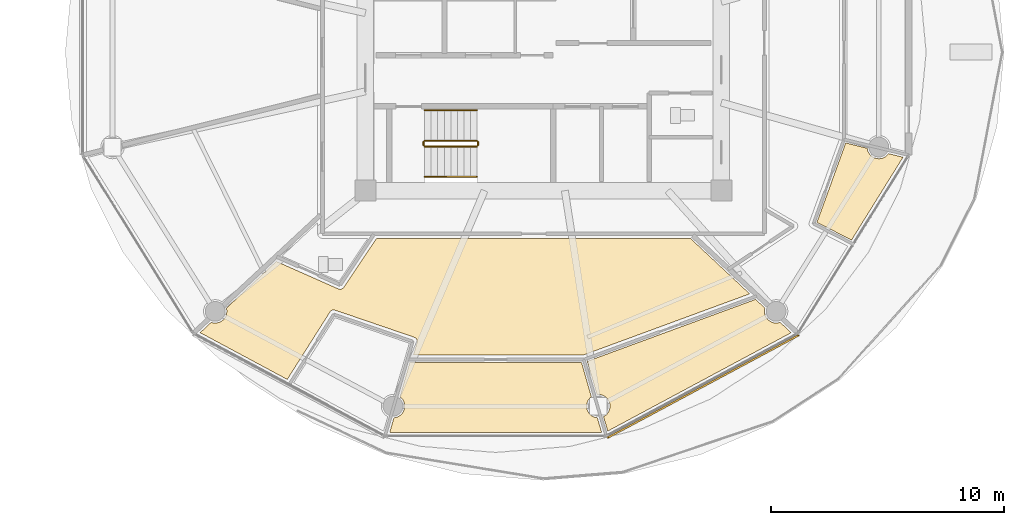
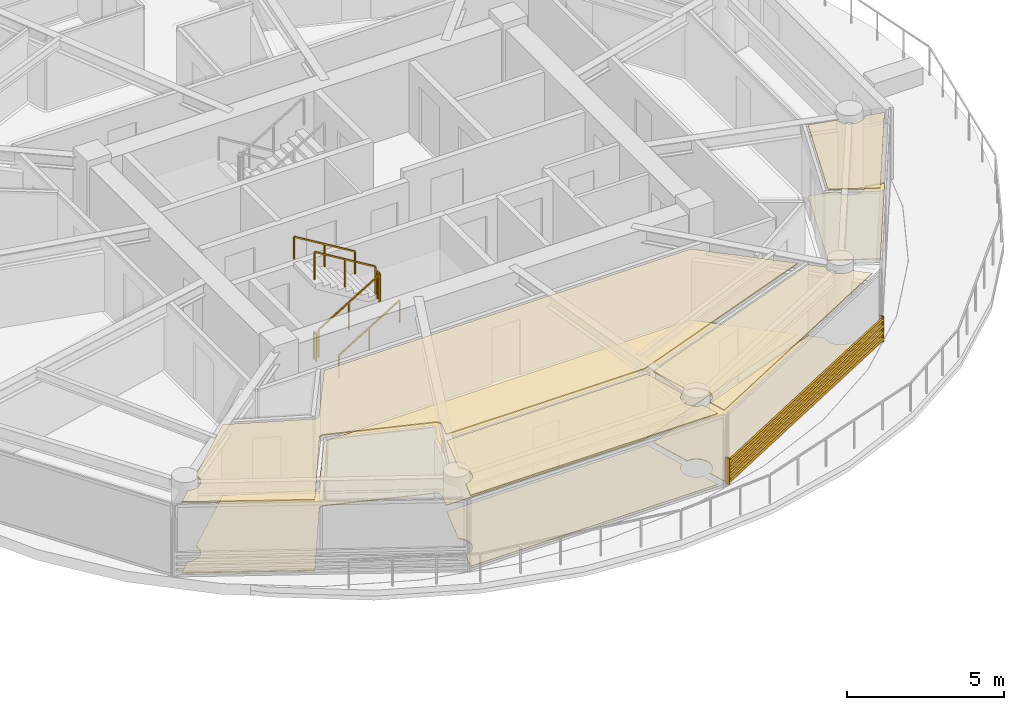
# One storey, part 26 of 32: 8 coverings, 6 railings, 1 shading device.
"""IFC4 building model written with IfcOpenShell, lengths in metres."""

import ifcopenshell
import ifcopenshell.guid

model = None  # the IFC model being written
_history = None  # IfcOwnerHistory: only IFC2X3 demands one
_inside = {}  # id of a spatial element -> (the spatial element, [elements in it])
_under = {}  # id of a project, library or spatial element -> (it, [spatial elements below it])
_declared = {}  # id of a project -> (the project, [libraries it declares])
_typed = {}  # id of a type object -> (the type object, [elements of that type])
_made_of = {}  # id of a material, layer set ... -> (it, [elements and type objects made of it])


def new_model(schema):
    """Start an empty IFC model of exactly this schema.

    Asked for "IFC4X3", IfcOpenShell would pick the latest addendum, in which some entities
    have other attributes; the version numbers below select the first issue.
    IFC2X3 requires an IfcOwnerHistory on every rooted entity: one is made here for all.
    """
    global model, _history
    if schema == "IFC4X3":
        model = ifcopenshell.file(schema_version=(4, 3, 0, 0))
    else:
        model = ifcopenshell.file(schema=schema)
    _inside.clear()
    _under.clear()
    _declared.clear()
    _typed.clear()
    _made_of.clear()
    _history = None
    if model.schema == "IFC2X3":
        org = make("IfcOrganization", Name="unknown")
        user = make(
            "IfcPersonAndOrganization",
            ThePerson=make("IfcPerson", FamilyName="unknown"),
            TheOrganization=org,
        )
        app = make(
            "IfcApplication",
            ApplicationDeveloper=org,
            Version="unknown",
            ApplicationFullName="unknown",
            ApplicationIdentifier="unknown",
        )
        _history = make(
            "IfcOwnerHistory",
            OwningUser=user,
            OwningApplication=app,
            ChangeAction="ADDED",
            CreationDate=0,
        )
    return model


def make(cls, **values):
    """One entity of the class cls with the attributes given. An attribute that is None is left unset."""
    return model.create_entity(
        cls, **{name: value for name, value in values.items() if value is not None}
    )


def rooted(cls, **values):
    """An entity with a GlobalId (a new one), such as an element, a storey or a relation."""
    return make(cls, GlobalId=ifcopenshell.guid.new(), OwnerHistory=_history, **values)


def si_unit(unit_type, name, prefix=None):
    """IfcSIUnit, for example si_unit("LENGTHUNIT", "METRE", prefix="MILLI")."""
    return make("IfcSIUnit", UnitType=unit_type, Prefix=prefix, Name=name)


def assignment(units):
    """IfcUnitAssignment: the units of a project."""
    return None if units is None else make("IfcUnitAssignment", Units=units)


def point(xyz):
    """IfcCartesianPoint."""
    return None if xyz is None else make("IfcCartesianPoint", Coordinates=xyz)


def direction(xyz):
    """IfcDirection."""
    return None if xyz is None else make("IfcDirection", DirectionRatios=xyz)


def frame(location, z_axis=None, x_axis=None):
    """IfcAxis2Placement3D, a coordinate frame: its origin and axes. An axis left out is left unset."""
    return make(
        "IfcAxis2Placement3D",
        Location=point(location),
        Axis=direction(z_axis),
        RefDirection=direction(x_axis),
    )


def frame_2d(location, x_axis=None):
    """IfcAxis2Placement2D, a coordinate frame in the plane: its origin and x axis."""
    return make(
        "IfcAxis2Placement2D", Location=point(location), RefDirection=direction(x_axis)
    )


def origin():
    """The frame at (0, 0, 0) with its axes left unset."""
    return frame((0.0, 0.0, 0.0))


def origin_2d():
    """The frame at (0, 0) in the plane with its x axis left unset."""
    return frame_2d((0.0, 0.0))


def place(relative_to, where):
    """IfcLocalPlacement: puts the frame where relative to a parent placement (None: the world)."""
    return make(
        "IfcLocalPlacement", PlacementRelTo=relative_to, RelativePlacement=where
    )


def context(
    kind, dimensions, precision=None, world=None, true_north=None, identifier=None
):
    """IfcGeometricRepresentationContext, for example the 3D "Model" context."""
    return make(
        "IfcGeometricRepresentationContext",
        ContextIdentifier=identifier,
        ContextType=kind,
        CoordinateSpaceDimension=dimensions,
        Precision=precision,
        WorldCoordinateSystem=world,
        TrueNorth=true_north,
    )


def subcontext(parent, identifier, kind, view, scale=None):
    """IfcGeometricRepresentationSubContext, for example "Body" below "Model"."""
    return make(
        "IfcGeometricRepresentationSubContext",
        ContextIdentifier=identifier,
        ContextType=kind,
        ParentContext=parent,
        TargetScale=scale,
        TargetView=view,
    )


def project(units=None, contexts=None):
    """IfcProject with its units and contexts."""
    return rooted(
        "IfcProject",
        Name="project",
        RepresentationContexts=contexts,
        UnitsInContext=assignment(units),
    )


def spatial(cls, under=None, at=None, **own):
    """A site, building, storey or space (cls), placed at a placement, below another one or the project."""
    s = rooted(cls, ObjectPlacement=at, **own)
    if under is not None:
        _under.setdefault(under.id(), (under, []))[1].append(s)
    return s


def polyline(points):
    """IfcPolyline through the points."""
    return make("IfcPolyline", Points=[point(p) for p in points])


def profile(cls, at=None, kind="AREA", **sizes):
    """A parametric profile (cls). Its sizes go by their IFC names, for example OverallWidth=200.0."""
    return make(cls, ProfileType=kind, Position=at, **sizes)


def rectangle(**sizes):
    """IfcRectangleProfileDef."""
    return profile("IfcRectangleProfileDef", **sizes)


def outline(outer, holes=None, kind="AREA"):
    """IfcArbitraryClosedProfileDef: a profile drawn as a closed curve; with holes, ...WithVoids."""
    if holes is None:
        return make("IfcArbitraryClosedProfileDef", ProfileType=kind, OuterCurve=outer)
    return make(
        "IfcArbitraryProfileDefWithVoids",
        ProfileType=kind,
        OuterCurve=outer,
        InnerCurves=holes,
    )


def extrude(swept, where, along, depth):
    """IfcExtrudedAreaSolid: the profile swept, set in the frame where, extruded along a direction by depth."""
    return make(
        "IfcExtrudedAreaSolid",
        SweptArea=swept,
        Position=where,
        ExtrudedDirection=direction(along),
        Depth=depth,
    )


def shape(context_of_items, identifier, shape_type, items):
    """IfcShapeRepresentation: the items that make up one representation, for example the "Body"."""
    return make(
        "IfcShapeRepresentation",
        ContextOfItems=context_of_items,
        RepresentationIdentifier=identifier,
        RepresentationType=shape_type,
        Items=items,
    )


def source(mapping_origin, context_of_items, identifier, shape_type, items):
    """IfcRepresentationMap: a shape defined once, which mapped items show again and again."""
    return make(
        "IfcRepresentationMap",
        MappingOrigin=mapping_origin,
        MappedRepresentation=shape(context_of_items, identifier, shape_type, items),
    )


def transform(
    local_origin,
    x_axis=None,
    y_axis=None,
    z_axis=None,
    scale=None,
    scale2=None,
    scale3=None,
    uniform=True,
):
    """IfcCartesianTransformationOperator3D, or its non-uniform kind. x_axis, y_axis, z_axis: its Axis1, 2, 3."""
    if uniform:
        return make(
            "IfcCartesianTransformationOperator3D",
            Axis1=direction(x_axis),
            Axis2=direction(y_axis),
            LocalOrigin=point(local_origin),
            Scale=scale,
            Axis3=direction(z_axis),
        )
    return make(
        "IfcCartesianTransformationOperator3DnonUniform",
        Axis1=direction(x_axis),
        Axis2=direction(y_axis),
        LocalOrigin=point(local_origin),
        Scale=scale,
        Axis3=direction(z_axis),
        Scale2=scale2,
        Scale3=scale3,
    )


def mapped(mapping_source, mapping_target):
    """IfcMappedItem: shows the shape of a source again, moved by a transform."""
    return make(
        "IfcMappedItem", MappingSource=mapping_source, MappingTarget=mapping_target
    )


def material(Name=None, Category=None):
    """IfcMaterial."""
    return make("IfcMaterial", Name=Name, Category=Category)


def layer(
    of_material, thickness, ventilated=None, Name=None, Category=None, Priority=None
):
    """IfcMaterialLayer: one layer of a wall or slab, of a material (None: an air gap)."""
    return make(
        "IfcMaterialLayer",
        Material=of_material,
        LayerThickness=thickness,
        IsVentilated=ventilated,
        Name=Name,
        Category=Category,
        Priority=Priority,
    )


def layer_set(layers, Name=None):
    """IfcMaterialLayerSet."""
    return make("IfcMaterialLayerSet", MaterialLayers=layers, LayerSetName=Name)


def made_of(thing, what):
    """Note that an element or type object is made of a material, layer set ...; save() writes the relation."""
    if what is not None:
        _made_of.setdefault(what.id(), (what, []))[1].append(thing)
    return thing


def type_object(cls, material=None, **own):
    """A type object (cls), such as IfcWallType, which elements share."""
    return made_of(rooted(cls, **own), material)


def type_shapes(of_type, sources):
    """Give a type object the sources (RepresentationMaps) that its elements show as mapped items."""
    of_type.RepresentationMaps = sources


def element(
    cls,
    number,
    at=None,
    inside=None,
    cuts=None,
    type_object=None,
    material=None,
    context=None,
    identifier="Body",
    shape_type=None,
    held_by="IfcProductDefinitionShape",
    body=None,
    shapes=None,
    **own,
):
    """One element of the class cls, such as IfcWall. Its Tag is "e" and its number.

    at: its placement. inside: the storey or other place that contains it. cuts: it is an
    opening in that element (IfcRelVoidsElement). A single representation is given by context,
    identifier, shape_type and body (its items); several are given by shapes. held_by: the class
    of the entity that holds the representations. save() writes the other relations.
    """
    e = rooted(cls, Tag="e%d" % number, ObjectPlacement=at, **own)
    if body is not None:
        shapes = [shape(context, identifier, shape_type, body)]
    if shapes is not None:
        e.Representation = make(held_by, Representations=shapes)
    if inside is not None:
        _inside.setdefault(inside.id(), (inside, []))[1].append(e)
    if cuts is not None:
        rooted(
            "IfcRelVoidsElement", RelatingBuildingElement=cuts, RelatedOpeningElement=e
        )
    if type_object is not None:
        _typed.setdefault(type_object.id(), (type_object, []))[1].append(e)
    return made_of(e, material)


def aggregate(whole, parts):
    """IfcRelAggregates: a whole, such as a stair, and the parts it consists of."""
    return rooted("IfcRelAggregates", RelatingObject=whole, RelatedObjects=parts)


def save(model, path):
    """Write the relations noted so far, then the file.

    IfcRelAggregates (storeys below a building ...), IfcRelContainedInSpatialStructure (elements
    in a storey), IfcRelDefinesByType, IfcRelAssociatesMaterial and IfcRelDeclares: one each for
    every whole, place, type object, material and project.
    """
    for whole, parts in _under.values():
        aggregate(whole, parts)
    for where, things in _inside.values():
        rooted(
            "IfcRelContainedInSpatialStructure",
            RelatedElements=things,
            RelatingStructure=where,
        )
    for kind, things in _typed.values():
        rooted("IfcRelDefinesByType", RelatedObjects=things, RelatingType=kind)
    for what, things in _made_of.values():
        rooted("IfcRelAssociatesMaterial", RelatedObjects=things, RelatingMaterial=what)
    for by, libraries in _declared.values():
        rooted("IfcRelDeclares", RelatingContext=by, RelatedDefinitions=libraries)
    model.write(path)


model = new_model("IFC4")

# Units and contexts
model_context = context("Model", 3, precision=1e-05, world=origin(), true_north=direction((0.0, 1.0)))
body_context = subcontext(model_context, "Body", "Model", "MODEL_VIEW")
ifc_project = project(units=[si_unit("LENGTHUNIT", "METRE"), si_unit("AREAUNIT", "SQUARE_METRE"), si_unit("VOLUMEUNIT", "CUBIC_METRE"), si_unit("PLANEANGLEUNIT", "RADIAN"), si_unit("MASSUNIT", "GRAM", prefix="KILO")], contexts=[model_context])

# Site, building, storey
site_placement = place(None, origin())
site = spatial("IfcSite", under=ifc_project, at=site_placement, CompositionType="ELEMENT")
building_placement = place(site_placement, origin())
building = spatial("IfcBuilding", under=site, at=building_placement, Name="Norrkilde Senior Care Towers", CompositionType="ELEMENT")
storey_placement = place(building_placement, frame((0.0, 0.0, 77.949951171875)))
storey = spatial("IfcBuildingStorey", under=building, at=storey_placement, Name="L23", CompositionType="ELEMENT", Elevation=77.949951171875)

# Coverings
ifc_material_1 = material(Name="Nordic Ash Timber", Category="wood")
ifc_layer_1 = layer(ifc_material_1, 0.044921875)
ifc_layer_set_1 = layer_set([ifc_layer_1], Name="Nordic Ash Timber")
covering_type_1 = type_object("IfcCoveringType", Name="Acoustic Ash Timber Slatted Ceiling 45", PredefinedType="CEILING", material=ifc_layer_set_1)
covering_1_placement = place(storey_placement, frame((0.0, 0.0, 2.7451171875)))
element("IfcCovering", 1, at=covering_1_placement, inside=storey, type_object=covering_type_1, Name="L23 Suspended Ceiling 0227", PredefinedType="CEILING", context=body_context, shape_type="SweptSolid", body=[
    extrude(outline(polyline([(19.22802734375, -10.1865234375), (19.23486328125, -10.187744140625), (19.246826171875, -10.189208984375), (19.253662109375, -10.189697265625), (19.265869140625, -10.18994140625), (19.272705078125, -10.189697265625), (19.28466796875, -10.188720703125), (19.29150390625, -10.187744140625), (19.303466796875, -10.185546875), (19.310302734375, -10.18408203125), (19.32177734375, -10.1806640625), (19.328369140625, -10.178466796875), (19.33935546875, -10.173828125), (19.345703125, -10.1708984375), (19.3564453125, -10.16552734375), (19.362548828125, -10.161865234375), (19.37255859375, -10.1552734375), (19.378173828125, -10.151123046875), (19.387451171875, -10.1435546875), (19.392578125, -10.138916015625), (19.401123046875, -10.130615234375), (19.40576171875, -10.125244140625), (19.41357421875, -10.115966796875), (19.417724609375, -10.1103515625), (19.421142578125, -10.10546875), (20.8291015625, -8.0), (34.320556640625, -8.0), (36.869140625, -10.3857421875), (29.713623046875, -13.018310546875), (22.411376953125, -13.018310546875), (22.568115234375, -12.484130859375), (22.569580078125, -12.478515625), (22.571044921875, -12.471923828125), (22.5732421875, -12.460693359375), (22.57421875, -12.4541015625), (22.5751953125, -12.44287109375), (22.575439453125, -12.43603515625), (22.575439453125, -12.424560546875), (22.5751953125, -12.41796875), (22.57421875, -12.406494140625), (22.5732421875, -12.39990234375), (22.571044921875, -12.388671875), (22.5693359375, -12.38232421875), (22.566162109375, -12.371337890625), (22.56396484375, -12.364990234375), (22.559814453125, -12.3544921875), (22.556884765625, -12.348388671875), (22.5517578125, -12.338134765625), (22.54833984375, -12.332275390625), (22.5419921875, -12.32275390625), (22.5380859375, -12.3173828125), (22.531005859375, -12.308349609375), (22.526611328125, -12.30322265625), (22.518798828125, -12.295166015625), (22.513916015625, -12.29052734375), (22.50537109375, -12.282958984375), (22.5, -12.27880859375), (22.49072265625, -12.272216796875), (22.485107421875, -12.268798828125), (22.47509765625, -12.262939453125), (22.46923828125, -12.260009765625), (22.458740234375, -12.255126953125), (22.45263671875, -12.252685546875), (22.447265625, -12.250732421875), (19.049560546875, -11.088623046875), (19.044189453125, -11.086669921875), (19.03759765625, -11.0849609375), (19.026611328125, -11.082275390625), (19.02001953125, -11.0810546875), (19.0087890625, -11.079345703125), (19.001953125, -11.078857421875), (18.99072265625, -11.078369140625), (18.98388671875, -11.078369140625), (18.972412109375, -11.078857421875), (18.9658203125, -11.07958984375), (18.95458984375, -11.081298828125), (18.947998046875, -11.08251953125), (18.93701171875, -11.08544921875), (18.930419921875, -11.087158203125), (18.919677734375, -11.091064453125), (18.91357421875, -11.093505859375), (18.903076171875, -11.098388671875), (18.897216796875, -11.1015625), (18.887451171875, -11.107177734375), (18.8818359375, -11.11083984375), (18.87255859375, -11.11767578125), (18.8671875, -11.121826171875), (18.858642578125, -11.129150390625), (18.853759765625, -11.1337890625), (18.845947265625, -11.142333984375), (18.841552734375, -11.147216796875), (18.834716796875, -11.15625), (18.830810546875, -11.161865234375), (18.82763671875, -11.16650390625), (16.9912109375, -14.063720703125), (13.2470703125, -12.055419921875), (13.724365234375, -11.608642578125), (13.76318359375, -11.624755859375), (13.893798828125, -11.641845703125), (14.0244140625, -11.624755859375), (14.146240234375, -11.57421875), (14.2509765625, -11.494140625), (14.3310546875, -11.389404296875), (14.381591796875, -11.267578125), (14.39892578125, -11.136962890625), (14.381591796875, -11.00634765625), (14.377685546875, -10.9970703125), (16.521240234375, -8.99072265625), (19.18603515625, -10.173583984375), (19.191650390625, -10.176025390625), (19.1982421875, -10.178466796875), (19.20947265625, -10.18212890625), (19.21630859375, -10.18408203125), (19.22802734375, -10.1865234375)])), origin(), (0.0, 0.0, 1.0), 0.044921875),
])
covering_2_placement = place(storey_placement, frame((0.0, 0.0, 2.7451171875)))
element("IfcCovering", 2, at=covering_2_placement, inside=storey, type_object=covering_type_1, Name="L23 Suspended Ceiling 0230", PredefinedType="CEILING", context=body_context, shape_type="SweptSolid", body=[
    extrude(outline(polyline([(21.5771484375, -15.713134765625), (21.667724609375, -15.701171875), (21.78955078125, -15.650634765625), (21.894287109375, -15.5703125), (21.974365234375, -15.4658203125), (22.02490234375, -15.343994140625), (22.042236328125, -15.21337890625), (22.02490234375, -15.08251953125), (21.974365234375, -14.9609375), (21.894287109375, -14.856201171875), (21.835205078125, -14.81103515625), (22.259765625, -13.328369140625), (29.640380859375, -13.328369140625), (30.064697265625, -14.81103515625), (30.005859375, -14.856201171875), (29.925537109375, -14.9609375), (29.875, -15.08251953125), (29.85791015625, -15.21337890625), (29.875, -15.343994140625), (29.925537109375, -15.4658203125), (30.005859375, -15.5703125), (30.1103515625, -15.650634765625), (30.232177734375, -15.701171875), (30.322998046875, -15.713134765625), (30.502197265625, -16.33935546875), (21.397705078125, -16.33935546875), (21.5771484375, -15.713134765625)])), origin(), (0.0, 0.0, 1.0), 0.044921875),
])
covering_3_placement = place(storey_placement, frame((0.0, 0.0, 2.7451171875)))
element("IfcCovering", 3, at=covering_3_placement, inside=storey, type_object=covering_type_1, Name="L23 Suspended Ceiling 0231", PredefinedType="CEILING", context=body_context, shape_type="SweptSolid", body=[
    extrude(outline(polyline([(30.768798828125, -16.28466796875), (30.585693359375, -15.6630859375), (30.615478515625, -15.650634765625), (30.719970703125, -15.5703125), (30.80029296875, -15.4658203125), (30.8505859375, -15.343994140625), (30.867919921875, -15.21337890625), (30.8505859375, -15.08251953125), (30.80029296875, -14.9609375), (30.719970703125, -14.856201171875), (30.615478515625, -14.77587890625), (30.49365234375, -14.7255859375), (30.36279296875, -14.708251953125), (30.306640625, -14.7158203125), (29.885009765625, -13.285400390625), (37.12255859375, -10.622802734375), (37.522216796875, -10.9970703125), (37.518310546875, -11.00634765625), (37.501220703125, -11.136962890625), (37.518310546875, -11.267578125), (37.56884765625, -11.389404296875), (37.649169921875, -11.494140625), (37.753662109375, -11.57421875), (37.87548828125, -11.624755859375), (38.006103515625, -11.641845703125), (38.136962890625, -11.624755859375), (38.17578125, -11.608642578125), (38.65283203125, -12.055419921875), (30.768798828125, -16.28466796875)])), origin(), (0.0, 0.0, 1.0), 0.044921875),
])
covering_4_placement = place(storey_placement, frame((0.0, 0.0, 2.7451171875)))
element("IfcCovering", 4, at=covering_4_placement, inside=storey, type_object=covering_type_1, Name="L23 Suspended Ceiling 0233", PredefinedType="CEILING", context=body_context, shape_type="SweptSolid", body=[
    extrude(outline(polyline([(41.921142578125, -4.129638671875), (41.93115234375, -4.20703125), (41.981689453125, -4.328857421875), (42.06201171875, -4.43359375), (42.16650390625, -4.513671875), (42.288330078125, -4.564208984375), (42.4189453125, -4.581298828125), (42.5498046875, -4.564208984375), (42.671630859375, -4.513671875), (42.776123046875, -4.43359375), (42.833740234375, -4.358642578125), (43.45849609375, -4.515380859375), (41.24658203125, -8.074951171875), (39.759765625, -7.31201171875), (40.996826171875, -3.89794921875), (41.921142578125, -4.129638671875)])), origin(), (0.0, 0.0, 1.0), 0.044921875),
])
ifc_material_2 = material(Name="Slip-Resistant Porcelain Stone", Category="masonry")
ifc_layer_2 = layer(ifc_material_2, 0.02490234375)
ifc_layer_set_2 = layer_set([ifc_layer_2], Name="Slip-Resistant Porcelain Stone")
covering_type_2 = type_object("IfcCoveringType", Name="Slip-Resistant Porcelain Flooring 25", PredefinedType="FLOORING", material=ifc_layer_set_2)
covering_5_placement = place(storey_placement, origin())
element("IfcCovering", 5, at=covering_5_placement, inside=storey, type_object=covering_type_2, Name="L23 Floor Finish 0227", PredefinedType="FLOORING", context=body_context, shape_type="SweptSolid", body=[
    extrude(outline(polyline([(19.22802734375, -10.1865234375), (19.23486328125, -10.187744140625), (19.246826171875, -10.189208984375), (19.253662109375, -10.189697265625), (19.265869140625, -10.18994140625), (19.272705078125, -10.189697265625), (19.28466796875, -10.188720703125), (19.29150390625, -10.187744140625), (19.303466796875, -10.185546875), (19.310302734375, -10.18408203125), (19.32177734375, -10.1806640625), (19.328369140625, -10.178466796875), (19.33935546875, -10.173828125), (19.345703125, -10.1708984375), (19.3564453125, -10.16552734375), (19.362548828125, -10.161865234375), (19.37255859375, -10.1552734375), (19.378173828125, -10.151123046875), (19.387451171875, -10.1435546875), (19.392578125, -10.138916015625), (19.401123046875, -10.130615234375), (19.40576171875, -10.125244140625), (19.41357421875, -10.115966796875), (19.417724609375, -10.1103515625), (19.421142578125, -10.10546875), (20.8291015625, -8.0), (34.320556640625, -8.0), (36.869140625, -10.3857421875), (29.713623046875, -13.018310546875), (22.411376953125, -13.018310546875), (22.568115234375, -12.484130859375), (22.569580078125, -12.478515625), (22.571044921875, -12.471923828125), (22.5732421875, -12.460693359375), (22.57421875, -12.4541015625), (22.5751953125, -12.44287109375), (22.575439453125, -12.43603515625), (22.575439453125, -12.424560546875), (22.5751953125, -12.41796875), (22.57421875, -12.406494140625), (22.5732421875, -12.39990234375), (22.571044921875, -12.388671875), (22.5693359375, -12.38232421875), (22.566162109375, -12.371337890625), (22.56396484375, -12.364990234375), (22.559814453125, -12.3544921875), (22.556884765625, -12.348388671875), (22.5517578125, -12.338134765625), (22.54833984375, -12.332275390625), (22.5419921875, -12.32275390625), (22.5380859375, -12.3173828125), (22.531005859375, -12.308349609375), (22.526611328125, -12.30322265625), (22.518798828125, -12.295166015625), (22.513916015625, -12.29052734375), (22.50537109375, -12.282958984375), (22.5, -12.27880859375), (22.49072265625, -12.272216796875), (22.485107421875, -12.268798828125), (22.47509765625, -12.262939453125), (22.46923828125, -12.260009765625), (22.458740234375, -12.255126953125), (22.45263671875, -12.252685546875), (22.447265625, -12.250732421875), (19.049560546875, -11.088623046875), (19.044189453125, -11.086669921875), (19.03759765625, -11.0849609375), (19.026611328125, -11.082275390625), (19.02001953125, -11.0810546875), (19.0087890625, -11.079345703125), (19.001953125, -11.078857421875), (18.99072265625, -11.078369140625), (18.98388671875, -11.078369140625), (18.972412109375, -11.078857421875), (18.9658203125, -11.07958984375), (18.95458984375, -11.081298828125), (18.947998046875, -11.08251953125), (18.93701171875, -11.08544921875), (18.930419921875, -11.087158203125), (18.919677734375, -11.091064453125), (18.91357421875, -11.093505859375), (18.903076171875, -11.098388671875), (18.897216796875, -11.1015625), (18.887451171875, -11.107177734375), (18.8818359375, -11.11083984375), (18.87255859375, -11.11767578125), (18.8671875, -11.121826171875), (18.858642578125, -11.129150390625), (18.853759765625, -11.1337890625), (18.845947265625, -11.142333984375), (18.841552734375, -11.147216796875), (18.834716796875, -11.15625), (18.830810546875, -11.161865234375), (18.82763671875, -11.16650390625), (16.9912109375, -14.063720703125), (13.2470703125, -12.055419921875), (13.724365234375, -11.608642578125), (13.76318359375, -11.624755859375), (13.893798828125, -11.641845703125), (14.0244140625, -11.624755859375), (14.146240234375, -11.57421875), (14.2509765625, -11.494140625), (14.3310546875, -11.389404296875), (14.381591796875, -11.267578125), (14.39892578125, -11.136962890625), (14.381591796875, -11.00634765625), (14.377685546875, -10.9970703125), (16.521240234375, -8.99072265625), (19.18603515625, -10.173583984375), (19.191650390625, -10.176025390625), (19.1982421875, -10.178466796875), (19.20947265625, -10.18212890625), (19.21630859375, -10.18408203125), (19.22802734375, -10.1865234375)])), origin(), (0.0, 0.0, 1.0), 0.025146484375),
])
covering_6_placement = place(storey_placement, origin())
element("IfcCovering", 6, at=covering_6_placement, inside=storey, type_object=covering_type_2, Name="L23 Floor Finish 0230", PredefinedType="FLOORING", context=body_context, shape_type="SweptSolid", body=[
    extrude(outline(polyline([(21.5771484375, -15.713134765625), (21.667724609375, -15.701171875), (21.78955078125, -15.650634765625), (21.894287109375, -15.5703125), (21.974365234375, -15.4658203125), (22.02490234375, -15.343994140625), (22.042236328125, -15.21337890625), (22.02490234375, -15.08251953125), (21.974365234375, -14.9609375), (21.894287109375, -14.856201171875), (21.835205078125, -14.81103515625), (22.259765625, -13.328369140625), (29.640380859375, -13.328369140625), (30.064697265625, -14.81103515625), (30.005859375, -14.856201171875), (29.925537109375, -14.9609375), (29.875, -15.08251953125), (29.85791015625, -15.21337890625), (29.875, -15.343994140625), (29.925537109375, -15.4658203125), (30.005859375, -15.5703125), (30.1103515625, -15.650634765625), (30.232177734375, -15.701171875), (30.322998046875, -15.713134765625), (30.502197265625, -16.33935546875), (21.397705078125, -16.33935546875), (21.5771484375, -15.713134765625)])), origin(), (0.0, 0.0, 1.0), 0.025146484375),
])
covering_7_placement = place(storey_placement, origin())
element("IfcCovering", 7, at=covering_7_placement, inside=storey, type_object=covering_type_2, Name="L23 Floor Finish 0231", PredefinedType="FLOORING", context=body_context, shape_type="SweptSolid", body=[
    extrude(outline(polyline([(30.768798828125, -16.28466796875), (30.585693359375, -15.6630859375), (30.615478515625, -15.650634765625), (30.719970703125, -15.5703125), (30.80029296875, -15.4658203125), (30.8505859375, -15.343994140625), (30.867919921875, -15.21337890625), (30.8505859375, -15.08251953125), (30.80029296875, -14.9609375), (30.719970703125, -14.856201171875), (30.615478515625, -14.77587890625), (30.49365234375, -14.7255859375), (30.36279296875, -14.708251953125), (30.306640625, -14.7158203125), (29.885009765625, -13.285400390625), (37.12255859375, -10.622802734375), (37.522216796875, -10.9970703125), (37.518310546875, -11.00634765625), (37.501220703125, -11.136962890625), (37.518310546875, -11.267578125), (37.56884765625, -11.389404296875), (37.649169921875, -11.494140625), (37.753662109375, -11.57421875), (37.87548828125, -11.624755859375), (38.006103515625, -11.641845703125), (38.136962890625, -11.624755859375), (38.17578125, -11.608642578125), (38.65283203125, -12.055419921875), (30.768798828125, -16.28466796875)])), origin(), (0.0, 0.0, 1.0), 0.025146484375),
])
covering_8_placement = place(storey_placement, origin())
element("IfcCovering", 8, at=covering_8_placement, inside=storey, type_object=covering_type_2, Name="L23 Floor Finish 0233", PredefinedType="FLOORING", context=body_context, shape_type="SweptSolid", body=[
    extrude(outline(polyline([(41.921142578125, -4.129638671875), (41.93115234375, -4.20703125), (41.981689453125, -4.328857421875), (42.06201171875, -4.43359375), (42.16650390625, -4.513671875), (42.288330078125, -4.564208984375), (42.4189453125, -4.581298828125), (42.5498046875, -4.564208984375), (42.671630859375, -4.513671875), (42.776123046875, -4.43359375), (42.833740234375, -4.358642578125), (43.45849609375, -4.515380859375), (41.24658203125, -8.074951171875), (39.759765625, -7.31201171875), (40.996826171875, -3.89794921875), (41.921142578125, -4.129638671875)])), origin(), (0.0, 0.0, 1.0), 0.025146484375),
])

# Railings
ifc_material_3 = material(Name="Stainless Steel", Category="steel")
railing_type_1 = type_object("IfcRailingType", Name="Stair and Terrace Guardrail 1100", PredefinedType="GUARDRAIL", material=ifc_material_3)
railing_1_placement = place(storey_placement, frame((22.89990234375, -4.050048828125, 0.16943359375)))
element("IfcRailing", 9, at=railing_1_placement, inside=storey, type_object=railing_type_1, Name="L23 ST-E2 stair guard 1", PredefinedType="GUARDRAIL", context=body_context, shape_type="SweptSolid", body=[
    extrude(rectangle(XDim=0.048095703125, YDim=0.048095703125, at=origin_2d()), frame((0.0, 0.0, 1.076171875), z_axis=(0.855512035549, 0.0, 0.517782924622), x_axis=(0.0, 1.0, 0.0)), (0.0, 0.0, 1.0), 2.618408203125),
    extrude(rectangle(XDim=0.0419921875, YDim=0.0419921875, at=origin_2d()), origin(), (0.0, 0.0, 1.0), 1.050048828125),
    extrude(rectangle(XDim=0.0419921875, YDim=0.0419921875, at=origin_2d()), frame((1.1201171875, 0.0, 0.677734375)), (0.0, 0.0, 1.0), 1.050048828125),
    extrude(rectangle(XDim=0.0419921875, YDim=0.0419921875, at=origin_2d()), frame((2.239990234375, 0.0, 1.355712890625)), (0.0, 0.0, 1.0), 1.050048828125),
])
railing_2_placement = place(storey_placement, frame((25.18994140625, -4.0, 1.525146484375)))
element("IfcRailing", 10, at=railing_2_placement, inside=storey, type_object=railing_type_1, Name="L23 ST-E2 stair guard 2", PredefinedType="GUARDRAIL", context=body_context, shape_type="SweptSolid", body=[
    extrude(rectangle(XDim=0.048095703125, YDim=0.048095703125, at=origin_2d()), frame((0.0, 0.0, 1.076171875), z_axis=(0.0, 1.0, 0.0), x_axis=(-1.0, 0.0, 0.0)), (0.0, 0.0, 1.0), 0.14990234375),
    extrude(rectangle(XDim=0.0419921875, YDim=0.0419921875, at=origin_2d()), origin(), (0.0, 0.0, 1.0), 1.050048828125),
    extrude(rectangle(XDim=0.0419921875, YDim=0.0419921875, at=origin_2d()), frame((0.0, 0.14990234375, 0.0)), (0.0, 0.0, 1.0), 1.050048828125),
])
railing_3_placement = place(storey_placement, frame((25.139892578125, -3.800048828125, 1.694580078125)))
element("IfcRailing", 11, at=railing_3_placement, inside=storey, type_object=railing_type_1, Name="L23 ST-E2 stair guard 3", PredefinedType="GUARDRAIL", context=body_context, shape_type="SweptSolid", body=[
    extrude(rectangle(XDim=0.048095703125, YDim=0.048095703125, at=origin_2d()), frame((0.0, 0.0, 1.076171875), z_axis=(-0.855553338991, 0.0, 0.51771467445), x_axis=(0.0, -1.0, 0.0)), (0.0, 0.0, 1.0), 2.6181640625),
    extrude(rectangle(XDim=0.0419921875, YDim=0.0419921875, at=origin_2d()), origin(), (0.0, 0.0, 1.0), 1.050048828125),
    extrude(rectangle(XDim=0.0419921875, YDim=0.0419921875, at=origin_2d()), frame((-1.1201171875, 0.0, 0.677734375)), (0.0, 0.0, 1.0), 1.050048828125),
    extrude(rectangle(XDim=0.0419921875, YDim=0.0419921875, at=origin_2d()), frame((-2.239990234375, 0.0, 1.35546875)), (0.0, 0.0, 1.0), 1.050048828125),
])
railing_4_placement = place(storey_placement, frame((22.85009765625, -4.0, 0.0)))
element("IfcRailing", 12, at=railing_4_placement, inside=storey, type_object=railing_type_1, Name="L23 ST-E2 stair guard 4", PredefinedType="GUARDRAIL", context=body_context, shape_type="SweptSolid", body=[
    extrude(rectangle(XDim=0.048095703125, YDim=0.048095703125, at=origin_2d()), frame((0.0, 0.0, 1.076171875), z_axis=(0.0, 1.0, 0.0), x_axis=(-1.0, 0.0, 0.0)), (0.0, 0.0, 1.0), 0.14990234375),
    extrude(rectangle(XDim=0.0419921875, YDim=0.0419921875, at=origin_2d()), origin(), (0.0, 0.0, 1.0), 1.050048828125),
    extrude(rectangle(XDim=0.0419921875, YDim=0.0419921875, at=origin_2d()), frame((0.0, 0.14990234375, 0.0)), (0.0, 0.0, 1.0), 1.050048828125),
])
railing_type_2 = type_object("IfcRailingType", Name="Wall and Stair Handrail 900", PredefinedType="HANDRAIL", material=ifc_material_1)
railing_5_placement = place(storey_placement, frame((22.89990234375, -5.35009765625, 0.16943359375)))
element("IfcRailing", 13, at=railing_5_placement, inside=storey, type_object=railing_type_2, Name="L23 ST-E2 stair handrail 1", PredefinedType="HANDRAIL", context=body_context, shape_type="SweptSolid", body=[
    extrude(rectangle(XDim=0.048095703125, YDim=0.048095703125, at=origin_2d()), frame((0.0, 0.0, 0.8759765625), z_axis=(0.855512035549, 0.0, 0.517782924622), x_axis=(0.0, 1.0, 0.0)), (0.0, 0.0, 1.0), 2.618408203125),
    extrude(rectangle(XDim=0.0419921875, YDim=0.0419921875, at=origin_2d()), origin(), (0.0, 0.0, 1.0), 0.849853515625),
    extrude(rectangle(XDim=0.0419921875, YDim=0.0419921875, at=origin_2d()), frame((1.1201171875, 0.0, 0.677734375)), (0.0, 0.0, 1.0), 0.849853515625),
    extrude(rectangle(XDim=0.0419921875, YDim=0.0419921875, at=origin_2d()), frame((2.239990234375, 0.0, 1.355712890625)), (0.0, 0.0, 1.0), 0.849853515625),
])
railing_6_placement = place(storey_placement, frame((25.139892578125, -2.5, 1.694580078125)))
element("IfcRailing", 14, at=railing_6_placement, inside=storey, type_object=railing_type_2, Name="L23 ST-E2 stair handrail 2", PredefinedType="HANDRAIL", context=body_context, shape_type="SweptSolid", body=[
    extrude(rectangle(XDim=0.048095703125, YDim=0.048095703125, at=origin_2d()), frame((0.0, 0.0, 0.8759765625), z_axis=(-0.855553338991, 0.0, 0.51771467445), x_axis=(0.0, -1.0, 0.0)), (0.0, 0.0, 1.0), 2.6181640625),
    extrude(rectangle(XDim=0.0419921875, YDim=0.0419921875, at=origin_2d()), origin(), (0.0, 0.0, 1.0), 0.849853515625),
    extrude(rectangle(XDim=0.0419921875, YDim=0.0419921875, at=origin_2d()), frame((-1.1201171875, 0.0, 0.677734375)), (0.0, 0.0, 1.0), 0.849853515625),
    extrude(rectangle(XDim=0.0419921875, YDim=0.0419921875, at=origin_2d()), frame((-2.239990234375, 0.0, 1.35546875)), (0.0, 0.0, 1.0), 0.849853515625),
])

# Shading device
ifc_material_4 = material(Name="Architectural Terracotta", Category="masonry")
shading_device_type = type_object("IfcShadingDeviceType", Name="Horizontal Terracotta Baguette Rack", PredefinedType="USERDEFINED", material=ifc_material_4)
shared_shape = source(origin(), body_context, "Body", "SweptSolid", [
    extrude(rectangle(XDim=0.070068359375, YDim=0.110107421875, at=origin_2d()), frame((0.0, 0.090087890625, 0.125), z_axis=(1.0, 0.0, 0.0), x_axis=(0.0, 1.0, 0.0)), (0.0, 0.0, 1.0), 9.3505859375),
    extrude(rectangle(XDim=0.070068359375, YDim=0.110107421875, at=origin_2d()), frame((0.0, 0.090087890625, 0.375), z_axis=(1.0, 0.0, 0.0), x_axis=(0.0, 1.0, 0.0)), (0.0, 0.0, 1.0), 9.3505859375),
    extrude(rectangle(XDim=0.070068359375, YDim=0.110107421875, at=origin_2d()), frame((0.0, 0.090087890625, 0.625), z_axis=(1.0, 0.0, 0.0), x_axis=(0.0, 1.0, 0.0)), (0.0, 0.0, 1.0), 9.3505859375),
    extrude(rectangle(XDim=0.070068359375, YDim=0.110107421875, at=origin_2d()), frame((0.0, 0.090087890625, 0.875), z_axis=(1.0, 0.0, 0.0), x_axis=(0.0, 1.0, 0.0)), (0.0, 0.0, 1.0), 9.3505859375),
    extrude(rectangle(XDim=0.050048828125, YDim=0.1552734375, at=origin_2d()), frame((0.02490234375, 0.047607421875, 0.0)), (0.0, 0.0, 1.0), 1.0),
    extrude(rectangle(XDim=0.050048828125, YDim=0.1552734375, at=origin_2d()), frame((9.32568359375, 0.047607421875, 0.0)), (0.0, 0.0, 1.0), 1.0),
])
type_shapes(shading_device_type, [shared_shape])
shading_device_placement = place(storey_placement, frame((38.946533203125, -12.077392578125, 0.080078125), z_axis=(0.0, 0.0, 1.0), x_axis=(-0.881174934726, -0.472767624021, 0.0)))
element("IfcShadingDevice", 15, at=shading_device_placement, inside=storey, type_object=shading_device_type, Name="L23 Drum E Terracotta Baguette Screen 09", ObjectType="BAGUETTE", PredefinedType="USERDEFINED", context=body_context, shape_type="MappedRepresentation", body=[
    mapped(shared_shape, transform((0.0, 0.0, 0.0), x_axis=(1.0, 0.0, 0.0), y_axis=(0.0, 1.0, 0.0), z_axis=(0.0, 0.0, 1.0), scale=1.0)),
])

save(model, "model.ifc")
